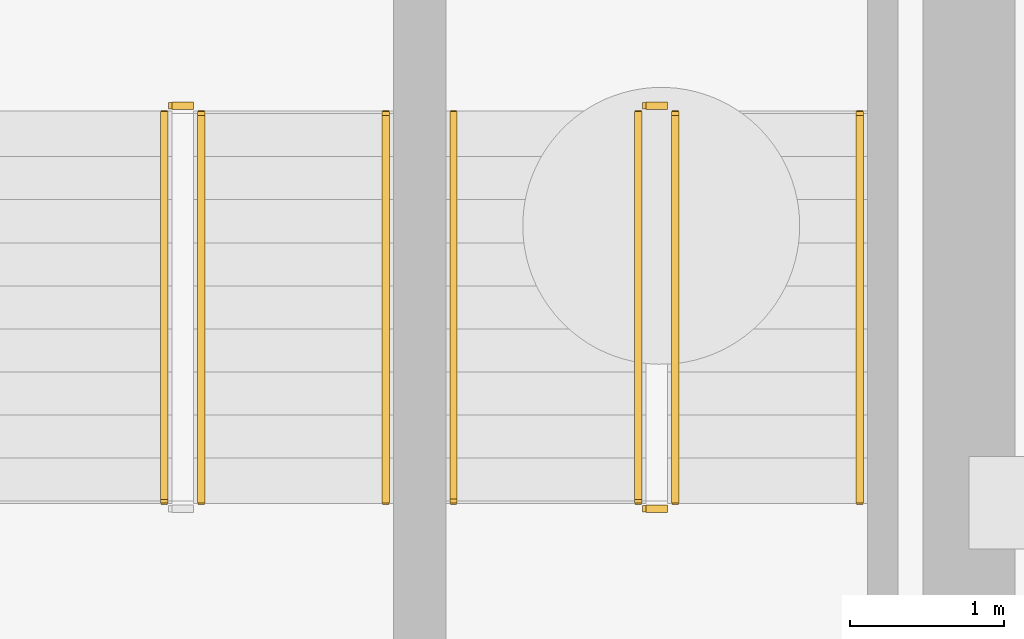
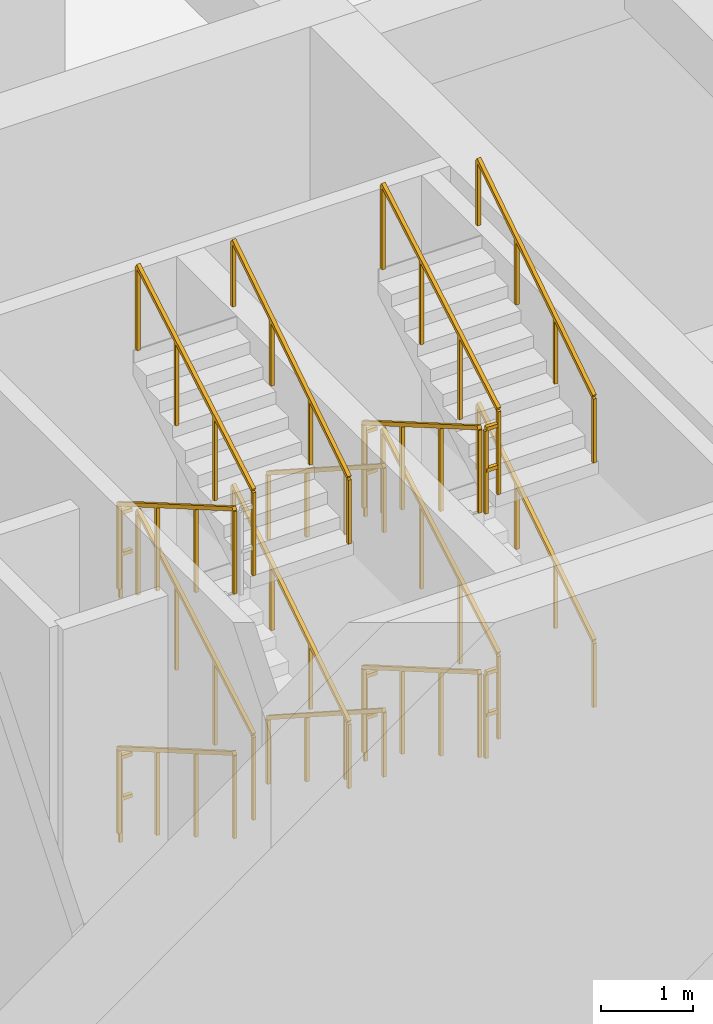
# One storey, part 11 of 13: 20 railings.
"""IFC4 building model written with IfcOpenShell, lengths in metres."""

from ifc_helpers import new_model, si_unit, derived_unit, direction, frame, origin, origin_2d, place, context, subcontext, project, spatial, rectangle, extrude, material, type_object, element, save


model = new_model("IFC4")

# Units and contexts
model_context = context("Model", 3, precision=1e-05, world=origin(), true_north=direction((0.0, 1.0)))
body_context = subcontext(model_context, "Body", "Model", "MODEL_VIEW")
ifc_project = project(units=[si_unit("LENGTHUNIT", "METRE"), si_unit("AREAUNIT", "SQUARE_METRE"), si_unit("VOLUMEUNIT", "CUBIC_METRE"), si_unit("PLANEANGLEUNIT", "RADIAN"), si_unit("MASSUNIT", "GRAM", prefix="KILO"), si_unit("THERMODYNAMICTEMPERATUREUNIT", "KELVIN"), si_unit("POWERUNIT", "WATT"), derived_unit("THERMALTRANSMITTANCEUNIT", [(si_unit("POWERUNIT", "WATT"), 1), (si_unit("AREAUNIT", "SQUARE_METRE"), -1), (si_unit("THERMODYNAMICTEMPERATUREUNIT", "KELVIN"), -1)])], contexts=[model_context])

# Site, building, storey
site_placement = place(None, origin())
site = spatial("IfcSite", under=ifc_project, at=site_placement, CompositionType="ELEMENT")
building_placement = place(site_placement, origin())
building = spatial("IfcBuilding", under=site, at=building_placement, Name="Zahravan Archway Hotel and Residences", CompositionType="ELEMENT")
storey_placement = place(building_placement, frame((0.0, 0.0, -13.0)))
storey = spatial("IfcBuildingStorey", under=building, at=storey_placement, Name="B02", CompositionType="ELEMENT", Elevation=-13.0)

# Railings
ifc_material_1 = material(Name="Painted Tubular Steel", Category="steel")
railing_type_1 = type_object("IfcRailingType", Name="RL-STG-1150", PredefinedType="GUARDRAIL", material=ifc_material_1)
railing_1_placement = place(storey_placement, frame((44.570068359375, 9.72998046875, 0.16259765625)))
element("IfcRailing", 1, at=railing_1_placement, inside=storey, type_object=railing_type_1, Name="B02 ST-A2 stair guard 1", PredefinedType="GUARDRAIL", context=body_context, shape_type="SweptSolid", body=[
    extrude(rectangle(XDim=0.048095703125, YDim=0.048095703125, at=origin_2d()), frame((0.0, 0.0, 1.1259765625), z_axis=(0.0, -0.864913338283, 0.50192122615), x_axis=(1.0, 0.0, 0.0)), (0.0, 0.0, 1.0), 2.91357421875),
    extrude(rectangle(XDim=0.0419921875, YDim=0.0419921875, at=origin_2d()), origin(), (0.0, 0.0, 1.0), 1.101806640625),
    extrude(rectangle(XDim=0.0419921875, YDim=0.0419921875, at=origin_2d()), frame((0.0, -0.840087890625, 0.487548828125)), (0.0, 0.0, 1.0), 1.101806640625),
    extrude(rectangle(XDim=0.0419921875, YDim=0.0419921875, at=origin_2d()), frame((0.0, -1.679931640625, 0.974853515625)), (0.0, 0.0, 1.0), 1.101806640625),
    extrude(rectangle(XDim=0.0419921875, YDim=0.0419921875, at=origin_2d()), frame((0.0, -2.52001953125, 1.46240234375)), (0.0, 0.0, 1.0), 1.101806640625),
])
railing_2_placement = place(storey_placement, frame((44.81005859375, 7.2099609375, 1.78759765625)))
element("IfcRailing", 2, at=railing_2_placement, inside=storey, type_object=railing_type_1, Name="B02 ST-A2 stair guard 3", PredefinedType="GUARDRAIL", context=body_context, shape_type="SweptSolid", body=[
    extrude(rectangle(XDim=0.048095703125, YDim=0.048095703125, at=origin_2d()), frame((0.0, 0.0, 1.1259765625), z_axis=(0.0, 0.864913338283, 0.50192122615), x_axis=(-1.0, 0.0, 0.0)), (0.0, 0.0, 1.0), 2.91357421875),
    extrude(rectangle(XDim=0.0419921875, YDim=0.0419921875, at=origin_2d()), origin(), (0.0, 0.0, 1.0), 1.101806640625),
    extrude(rectangle(XDim=0.0419921875, YDim=0.0419921875, at=origin_2d()), frame((0.0, 0.840087890625, 0.487548828125)), (0.0, 0.0, 1.0), 1.101806640625),
    extrude(rectangle(XDim=0.0419921875, YDim=0.0419921875, at=origin_2d()), frame((0.0, 1.679931640625, 0.974853515625)), (0.0, 0.0, 1.0), 1.101806640625),
    extrude(rectangle(XDim=0.0419921875, YDim=0.0419921875, at=origin_2d()), frame((0.0, 2.52001953125, 1.46240234375)), (0.0, 0.0, 1.0), 1.101806640625),
])
railing_3_placement = place(storey_placement, frame((44.6201171875, 9.780029296875, 3.25)))
element("IfcRailing", 3, at=railing_3_placement, inside=storey, type_object=railing_type_1, Name="B02 ST-A2 stair guard 4", PredefinedType="GUARDRAIL", context=body_context, shape_type="SweptSolid", body=[
    extrude(rectangle(XDim=0.048095703125, YDim=0.048095703125, at=origin_2d()), frame((0.0, 0.0, 1.1259765625), z_axis=(1.0, 0.0, 0.0), x_axis=(0.0, 1.0, 0.0)), (0.0, 0.0, 1.0), 0.139892578125),
    extrude(rectangle(XDim=0.048095703125, YDim=0.048095703125, at=origin_2d()), frame((0.0, 0.0, 0.574951171875), z_axis=(1.0, 0.0, 0.0), x_axis=(0.0, 1.0, 0.0)), (0.0, 0.0, 1.0), 0.139892578125),
    extrude(rectangle(XDim=0.0419921875, YDim=0.0419921875, at=origin_2d()), origin(), (0.0, 0.0, 1.0), 1.101806640625),
])
railing_4_placement = place(storey_placement, frame((44.570068359375, 9.72998046875, 3.41259765625)))
element("IfcRailing", 4, at=railing_4_placement, inside=storey, type_object=railing_type_1, Name="B02 ST-A2 stair guard 5", PredefinedType="GUARDRAIL", context=body_context, shape_type="SweptSolid", body=[
    extrude(rectangle(XDim=0.048095703125, YDim=0.048095703125, at=origin_2d()), frame((0.0, 0.0, 1.1259765625), z_axis=(0.0, -0.864913338283, 0.50192122615), x_axis=(1.0, 0.0, 0.0)), (0.0, 0.0, 1.0), 2.91357421875),
    extrude(rectangle(XDim=0.0419921875, YDim=0.0419921875, at=origin_2d()), origin(), (0.0, 0.0, 1.0), 1.101806640625),
    extrude(rectangle(XDim=0.0419921875, YDim=0.0419921875, at=origin_2d()), frame((0.0, -0.840087890625, 0.487548828125)), (0.0, 0.0, 1.0), 1.101806640625),
    extrude(rectangle(XDim=0.0419921875, YDim=0.0419921875, at=origin_2d()), frame((0.0, -1.679931640625, 0.974853515625)), (0.0, 0.0, 1.0), 1.101806640625),
    extrude(rectangle(XDim=0.0419921875, YDim=0.0419921875, at=origin_2d()), frame((0.0, -2.52001953125, 1.46240234375)), (0.0, 0.0, 1.0), 1.101806640625),
])
railing_5_placement = place(storey_placement, frame((44.81005859375, 7.2099609375, 5.03759765625)))
element("IfcRailing", 5, at=railing_5_placement, inside=storey, type_object=railing_type_1, Name="B02 ST-A2 stair guard 7", PredefinedType="GUARDRAIL", context=body_context, shape_type="SweptSolid", body=[
    extrude(rectangle(XDim=0.048095703125, YDim=0.048095703125, at=origin_2d()), frame((0.0, 0.0, 1.1259765625), z_axis=(0.0, 0.864913338283, 0.50192122615), x_axis=(-1.0, 0.0, 0.0)), (0.0, 0.0, 1.0), 2.91357421875),
    extrude(rectangle(XDim=0.0419921875, YDim=0.0419921875, at=origin_2d()), origin(), (0.0, 0.0, 1.0), 1.101806640625),
    extrude(rectangle(XDim=0.0419921875, YDim=0.0419921875, at=origin_2d()), frame((0.0, 0.840087890625, 0.487548828125)), (0.0, 0.0, 1.0), 1.101806640625),
    extrude(rectangle(XDim=0.0419921875, YDim=0.0419921875, at=origin_2d()), frame((0.0, 1.679931640625, 0.974853515625)), (0.0, 0.0, 1.0), 1.101806640625),
    extrude(rectangle(XDim=0.0419921875, YDim=0.0419921875, at=origin_2d()), frame((0.0, 2.52001953125, 1.46240234375)), (0.0, 0.0, 1.0), 1.101806640625),
])
railing_6_placement = place(storey_placement, frame((44.6201171875, 9.780029296875, 0.0)))
element("IfcRailing", 6, at=railing_6_placement, inside=storey, type_object=railing_type_1, Name="B02 ST-A2 stair guard 8", PredefinedType="GUARDRAIL", context=body_context, shape_type="SweptSolid", body=[
    extrude(rectangle(XDim=0.048095703125, YDim=0.048095703125, at=origin_2d()), frame((0.0, 0.0, 1.1259765625), z_axis=(1.0, 0.0, 0.0), x_axis=(0.0, 1.0, 0.0)), (0.0, 0.0, 1.0), 0.139892578125),
    extrude(rectangle(XDim=0.048095703125, YDim=0.048095703125, at=origin_2d()), frame((0.0, 0.0, 0.574951171875), z_axis=(1.0, 0.0, 0.0), x_axis=(0.0, 1.0, 0.0)), (0.0, 0.0, 1.0), 0.139892578125),
    extrude(rectangle(XDim=0.0419921875, YDim=0.0419921875, at=origin_2d()), origin(), (0.0, 0.0, 1.0), 1.101806640625),
])
railing_7_placement = place(storey_placement, frame((47.64990234375, 9.72998046875, 0.16259765625)))
element("IfcRailing", 7, at=railing_7_placement, inside=storey, type_object=railing_type_1, Name="B02 ST-A3 stair guard 1", PredefinedType="GUARDRAIL", context=body_context, shape_type="SweptSolid", body=[
    extrude(rectangle(XDim=0.048095703125, YDim=0.048095703125, at=origin_2d()), frame((0.0, 0.0, 1.1259765625), z_axis=(0.0, -0.864913338283, 0.50192122615), x_axis=(1.0, 0.0, 0.0)), (0.0, 0.0, 1.0), 2.91357421875),
    extrude(rectangle(XDim=0.0419921875, YDim=0.0419921875, at=origin_2d()), origin(), (0.0, 0.0, 1.0), 1.101806640625),
    extrude(rectangle(XDim=0.0419921875, YDim=0.0419921875, at=origin_2d()), frame((0.0, -0.840087890625, 0.487548828125)), (0.0, 0.0, 1.0), 1.101806640625),
    extrude(rectangle(XDim=0.0419921875, YDim=0.0419921875, at=origin_2d()), frame((0.0, -1.679931640625, 0.974853515625)), (0.0, 0.0, 1.0), 1.101806640625),
    extrude(rectangle(XDim=0.0419921875, YDim=0.0419921875, at=origin_2d()), frame((0.0, -2.52001953125, 1.46240234375)), (0.0, 0.0, 1.0), 1.101806640625),
])
railing_8_placement = place(storey_placement, frame((47.699951171875, 7.159912109375, 1.625)))
element("IfcRailing", 8, at=railing_8_placement, inside=storey, type_object=railing_type_1, Name="B02 ST-A3 stair guard 2", PredefinedType="GUARDRAIL", context=body_context, shape_type="SweptSolid", body=[
    extrude(rectangle(XDim=0.048095703125, YDim=0.048095703125, at=origin_2d()), frame((0.0, 0.0, 1.1259765625), z_axis=(1.0, 0.0, 0.0), x_axis=(0.0, 1.0, 0.0)), (0.0, 0.0, 1.0), 0.14013671875),
    extrude(rectangle(XDim=0.048095703125, YDim=0.048095703125, at=origin_2d()), frame((0.0, 0.0, 0.574951171875), z_axis=(1.0, 0.0, 0.0), x_axis=(0.0, 1.0, 0.0)), (0.0, 0.0, 1.0), 0.14013671875),
    extrude(rectangle(XDim=0.0419921875, YDim=0.0419921875, at=origin_2d()), origin(), (0.0, 0.0, 1.0), 1.101806640625),
])
railing_9_placement = place(storey_placement, frame((47.889892578125, 7.2099609375, 1.78759765625)))
element("IfcRailing", 9, at=railing_9_placement, inside=storey, type_object=railing_type_1, Name="B02 ST-A3 stair guard 3", PredefinedType="GUARDRAIL", context=body_context, shape_type="SweptSolid", body=[
    extrude(rectangle(XDim=0.048095703125, YDim=0.048095703125, at=origin_2d()), frame((0.0, 0.0, 1.1259765625), z_axis=(0.0, 0.864913338283, 0.50192122615), x_axis=(-1.0, 0.0, 0.0)), (0.0, 0.0, 1.0), 2.91357421875),
    extrude(rectangle(XDim=0.0419921875, YDim=0.0419921875, at=origin_2d()), origin(), (0.0, 0.0, 1.0), 1.101806640625),
    extrude(rectangle(XDim=0.0419921875, YDim=0.0419921875, at=origin_2d()), frame((0.0, 0.840087890625, 0.487548828125)), (0.0, 0.0, 1.0), 1.101806640625),
    extrude(rectangle(XDim=0.0419921875, YDim=0.0419921875, at=origin_2d()), frame((0.0, 1.679931640625, 0.974853515625)), (0.0, 0.0, 1.0), 1.101806640625),
    extrude(rectangle(XDim=0.0419921875, YDim=0.0419921875, at=origin_2d()), frame((0.0, 2.52001953125, 1.46240234375)), (0.0, 0.0, 1.0), 1.101806640625),
])
railing_10_placement = place(storey_placement, frame((47.699951171875, 9.780029296875, 3.25)))
element("IfcRailing", 10, at=railing_10_placement, inside=storey, type_object=railing_type_1, Name="B02 ST-A3 stair guard 4", PredefinedType="GUARDRAIL", context=body_context, shape_type="SweptSolid", body=[
    extrude(rectangle(XDim=0.048095703125, YDim=0.048095703125, at=origin_2d()), frame((0.0, 0.0, 1.1259765625), z_axis=(1.0, 0.0, 0.0), x_axis=(0.0, 1.0, 0.0)), (0.0, 0.0, 1.0), 0.14013671875),
    extrude(rectangle(XDim=0.048095703125, YDim=0.048095703125, at=origin_2d()), frame((0.0, 0.0, 0.574951171875), z_axis=(1.0, 0.0, 0.0), x_axis=(0.0, 1.0, 0.0)), (0.0, 0.0, 1.0), 0.14013671875),
    extrude(rectangle(XDim=0.0419921875, YDim=0.0419921875, at=origin_2d()), origin(), (0.0, 0.0, 1.0), 1.101806640625),
])
railing_11_placement = place(storey_placement, frame((47.64990234375, 9.72998046875, 3.41259765625)))
element("IfcRailing", 11, at=railing_11_placement, inside=storey, type_object=railing_type_1, Name="B02 ST-A3 stair guard 5", PredefinedType="GUARDRAIL", context=body_context, shape_type="SweptSolid", body=[
    extrude(rectangle(XDim=0.048095703125, YDim=0.048095703125, at=origin_2d()), frame((0.0, 0.0, 1.1259765625), z_axis=(0.0, -0.864913338283, 0.50192122615), x_axis=(1.0, 0.0, 0.0)), (0.0, 0.0, 1.0), 2.91357421875),
    extrude(rectangle(XDim=0.0419921875, YDim=0.0419921875, at=origin_2d()), origin(), (0.0, 0.0, 1.0), 1.101806640625),
    extrude(rectangle(XDim=0.0419921875, YDim=0.0419921875, at=origin_2d()), frame((0.0, -0.840087890625, 0.487548828125)), (0.0, 0.0, 1.0), 1.101806640625),
    extrude(rectangle(XDim=0.0419921875, YDim=0.0419921875, at=origin_2d()), frame((0.0, -1.679931640625, 0.974853515625)), (0.0, 0.0, 1.0), 1.101806640625),
    extrude(rectangle(XDim=0.0419921875, YDim=0.0419921875, at=origin_2d()), frame((0.0, -2.52001953125, 1.46240234375)), (0.0, 0.0, 1.0), 1.101806640625),
])
railing_12_placement = place(storey_placement, frame((47.699951171875, 7.159912109375, 4.875)))
element("IfcRailing", 12, at=railing_12_placement, inside=storey, type_object=railing_type_1, Name="B02 ST-A3 stair guard 6", PredefinedType="GUARDRAIL", context=body_context, shape_type="SweptSolid", body=[
    extrude(rectangle(XDim=0.048095703125, YDim=0.048095703125, at=origin_2d()), frame((0.0, 0.0, 1.1259765625), z_axis=(1.0, 0.0, 0.0), x_axis=(0.0, 1.0, 0.0)), (0.0, 0.0, 1.0), 0.14013671875),
    extrude(rectangle(XDim=0.048095703125, YDim=0.048095703125, at=origin_2d()), frame((0.0, 0.0, 0.574951171875), z_axis=(1.0, 0.0, 0.0), x_axis=(0.0, 1.0, 0.0)), (0.0, 0.0, 1.0), 0.14013671875),
    extrude(rectangle(XDim=0.0419921875, YDim=0.0419921875, at=origin_2d()), origin(), (0.0, 0.0, 1.0), 1.101806640625),
])
railing_13_placement = place(storey_placement, frame((47.889892578125, 7.2099609375, 5.03759765625)))
element("IfcRailing", 13, at=railing_13_placement, inside=storey, type_object=railing_type_1, Name="B02 ST-A3 stair guard 7", PredefinedType="GUARDRAIL", context=body_context, shape_type="SweptSolid", body=[
    extrude(rectangle(XDim=0.048095703125, YDim=0.048095703125, at=origin_2d()), frame((0.0, 0.0, 1.1259765625), z_axis=(0.0, 0.864913338283, 0.50192122615), x_axis=(-1.0, 0.0, 0.0)), (0.0, 0.0, 1.0), 2.91357421875),
    extrude(rectangle(XDim=0.0419921875, YDim=0.0419921875, at=origin_2d()), origin(), (0.0, 0.0, 1.0), 1.101806640625),
    extrude(rectangle(XDim=0.0419921875, YDim=0.0419921875, at=origin_2d()), frame((0.0, 0.840087890625, 0.487548828125)), (0.0, 0.0, 1.0), 1.101806640625),
    extrude(rectangle(XDim=0.0419921875, YDim=0.0419921875, at=origin_2d()), frame((0.0, 1.679931640625, 0.974853515625)), (0.0, 0.0, 1.0), 1.101806640625),
    extrude(rectangle(XDim=0.0419921875, YDim=0.0419921875, at=origin_2d()), frame((0.0, 2.52001953125, 1.46240234375)), (0.0, 0.0, 1.0), 1.101806640625),
])
railing_14_placement = place(storey_placement, frame((47.699951171875, 9.780029296875, 0.0)))
element("IfcRailing", 14, at=railing_14_placement, inside=storey, type_object=railing_type_1, Name="B02 ST-A3 stair guard 8", PredefinedType="GUARDRAIL", context=body_context, shape_type="SweptSolid", body=[
    extrude(rectangle(XDim=0.048095703125, YDim=0.048095703125, at=origin_2d()), frame((0.0, 0.0, 1.1259765625), z_axis=(1.0, 0.0, 0.0), x_axis=(0.0, 1.0, 0.0)), (0.0, 0.0, 1.0), 0.14013671875),
    extrude(rectangle(XDim=0.048095703125, YDim=0.048095703125, at=origin_2d()), frame((0.0, 0.0, 0.574951171875), z_axis=(1.0, 0.0, 0.0), x_axis=(0.0, 1.0, 0.0)), (0.0, 0.0, 1.0), 0.14013671875),
    extrude(rectangle(XDim=0.0419921875, YDim=0.0419921875, at=origin_2d()), origin(), (0.0, 0.0, 1.0), 1.101806640625),
])
ifc_material_2 = material(Name="Brushed Stainless Steel", Category="steel")
railing_type_2 = type_object("IfcRailingType", Name="RL-STH-900", PredefinedType="HANDRAIL", material=ifc_material_2)
for number, where, name in (
    (15, (46.010009765625, 7.2099609375, 1.78759765625), "B02 ST-A2 stair handrail 2"),
    (16, (46.010009765625, 7.2099609375, 5.03759765625), "B02 ST-A2 stair handrail 4"),
):
    element("IfcRailing", number, at=place(storey_placement, frame(where)), inside=storey, type_object=railing_type_2, Name=name, PredefinedType="HANDRAIL", context=body_context, shape_type="SweptSolid", body=[
        extrude(rectangle(XDim=0.048095703125, YDim=0.048095703125, at=origin_2d()), frame((0.0, 0.0, 0.8759765625), z_axis=(0.0, 0.840421059866, 0.541933983188), x_axis=(-1.0, 0.0, 0.0)), (0.0, 0.0, 1.0), 2.99853515625),
        extrude(rectangle(XDim=0.0419921875, YDim=0.0419921875, at=origin_2d()), origin(), (0.0, 0.0, 1.0), 0.851806640625),
        extrude(rectangle(XDim=0.0419921875, YDim=0.0419921875, at=origin_2d()), frame((0.0, 0.840087890625, 0.541748046875)), (0.0, 0.0, 1.0), 0.851806640625),
        extrude(rectangle(XDim=0.0419921875, YDim=0.0419921875, at=origin_2d()), frame((0.0, 1.679931640625, 1.083251953125)), (0.0, 0.0, 1.0), 0.851806640625),
        extrude(rectangle(XDim=0.0419921875, YDim=0.0419921875, at=origin_2d()), frame((0.0, 2.52001953125, 1.625)), (0.0, 0.0, 1.0), 0.851806640625),
    ])
railing_15_placement = place(storey_placement, frame((46.449951171875, 9.72998046875, 0.16259765625)))
element("IfcRailing", 17, at=railing_15_placement, inside=storey, type_object=railing_type_2, Name="B02 ST-A3 stair handrail 1", PredefinedType="HANDRAIL", context=body_context, shape_type="SweptSolid", body=[
    extrude(rectangle(XDim=0.048095703125, YDim=0.048095703125, at=origin_2d()), frame((0.0, 0.0, 0.8759765625), z_axis=(0.0, -0.840421059866, 0.541933983188), x_axis=(1.0, 0.0, 0.0)), (0.0, 0.0, 1.0), 2.99853515625),
    extrude(rectangle(XDim=0.0419921875, YDim=0.0419921875, at=origin_2d()), origin(), (0.0, 0.0, 1.0), 0.851806640625),
    extrude(rectangle(XDim=0.0419921875, YDim=0.0419921875, at=origin_2d()), frame((0.0, -0.840087890625, 0.541748046875)), (0.0, 0.0, 1.0), 0.851806640625),
    extrude(rectangle(XDim=0.0419921875, YDim=0.0419921875, at=origin_2d()), frame((0.0, -1.679931640625, 1.083251953125)), (0.0, 0.0, 1.0), 0.851806640625),
    extrude(rectangle(XDim=0.0419921875, YDim=0.0419921875, at=origin_2d()), frame((0.0, -2.52001953125, 1.625)), (0.0, 0.0, 1.0), 0.851806640625),
])
railing_16_placement = place(storey_placement, frame((49.090087890625, 7.2099609375, 1.78759765625)))
element("IfcRailing", 18, at=railing_16_placement, inside=storey, type_object=railing_type_2, Name="B02 ST-A3 stair handrail 2", PredefinedType="HANDRAIL", context=body_context, shape_type="SweptSolid", body=[
    extrude(rectangle(XDim=0.048095703125, YDim=0.048095703125, at=origin_2d()), frame((0.0, 0.0, 0.8759765625), z_axis=(0.0, 0.840421059866, 0.541933983188), x_axis=(-1.0, 0.0, 0.0)), (0.0, 0.0, 1.0), 2.99853515625),
    extrude(rectangle(XDim=0.0419921875, YDim=0.0419921875, at=origin_2d()), origin(), (0.0, 0.0, 1.0), 0.851806640625),
    extrude(rectangle(XDim=0.0419921875, YDim=0.0419921875, at=origin_2d()), frame((0.0, 0.840087890625, 0.541748046875)), (0.0, 0.0, 1.0), 0.851806640625),
    extrude(rectangle(XDim=0.0419921875, YDim=0.0419921875, at=origin_2d()), frame((0.0, 1.679931640625, 1.083251953125)), (0.0, 0.0, 1.0), 0.851806640625),
    extrude(rectangle(XDim=0.0419921875, YDim=0.0419921875, at=origin_2d()), frame((0.0, 2.52001953125, 1.625)), (0.0, 0.0, 1.0), 0.851806640625),
])
railing_17_placement = place(storey_placement, frame((46.449951171875, 9.72998046875, 3.41259765625)))
element("IfcRailing", 19, at=railing_17_placement, inside=storey, type_object=railing_type_2, Name="B02 ST-A3 stair handrail 3", PredefinedType="HANDRAIL", context=body_context, shape_type="SweptSolid", body=[
    extrude(rectangle(XDim=0.048095703125, YDim=0.048095703125, at=origin_2d()), frame((0.0, 0.0, 0.8759765625), z_axis=(0.0, -0.840421059866, 0.541933983188), x_axis=(1.0, 0.0, 0.0)), (0.0, 0.0, 1.0), 2.99853515625),
    extrude(rectangle(XDim=0.0419921875, YDim=0.0419921875, at=origin_2d()), origin(), (0.0, 0.0, 1.0), 0.851806640625),
    extrude(rectangle(XDim=0.0419921875, YDim=0.0419921875, at=origin_2d()), frame((0.0, -0.840087890625, 0.541748046875)), (0.0, 0.0, 1.0), 0.851806640625),
    extrude(rectangle(XDim=0.0419921875, YDim=0.0419921875, at=origin_2d()), frame((0.0, -1.679931640625, 1.083251953125)), (0.0, 0.0, 1.0), 0.851806640625),
    extrude(rectangle(XDim=0.0419921875, YDim=0.0419921875, at=origin_2d()), frame((0.0, -2.52001953125, 1.625)), (0.0, 0.0, 1.0), 0.851806640625),
])
railing_18_placement = place(storey_placement, frame((49.090087890625, 7.2099609375, 5.03759765625)))
element("IfcRailing", 20, at=railing_18_placement, inside=storey, type_object=railing_type_2, Name="B02 ST-A3 stair handrail 4", PredefinedType="HANDRAIL", context=body_context, shape_type="SweptSolid", body=[
    extrude(rectangle(XDim=0.048095703125, YDim=0.048095703125, at=origin_2d()), frame((0.0, 0.0, 0.8759765625), z_axis=(0.0, 0.840421059866, 0.541933983188), x_axis=(-1.0, 0.0, 0.0)), (0.0, 0.0, 1.0), 2.99853515625),
    extrude(rectangle(XDim=0.0419921875, YDim=0.0419921875, at=origin_2d()), origin(), (0.0, 0.0, 1.0), 0.851806640625),
    extrude(rectangle(XDim=0.0419921875, YDim=0.0419921875, at=origin_2d()), frame((0.0, 0.840087890625, 0.541748046875)), (0.0, 0.0, 1.0), 0.851806640625),
    extrude(rectangle(XDim=0.0419921875, YDim=0.0419921875, at=origin_2d()), frame((0.0, 1.679931640625, 1.083251953125)), (0.0, 0.0, 1.0), 0.851806640625),
    extrude(rectangle(XDim=0.0419921875, YDim=0.0419921875, at=origin_2d()), frame((0.0, 2.52001953125, 1.625)), (0.0, 0.0, 1.0), 0.851806640625),
])

save(model, "model.ifc")
